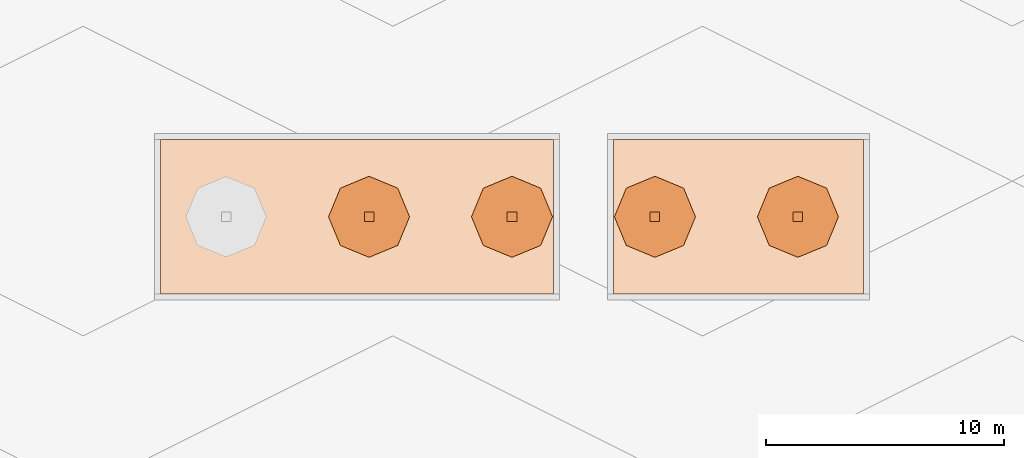
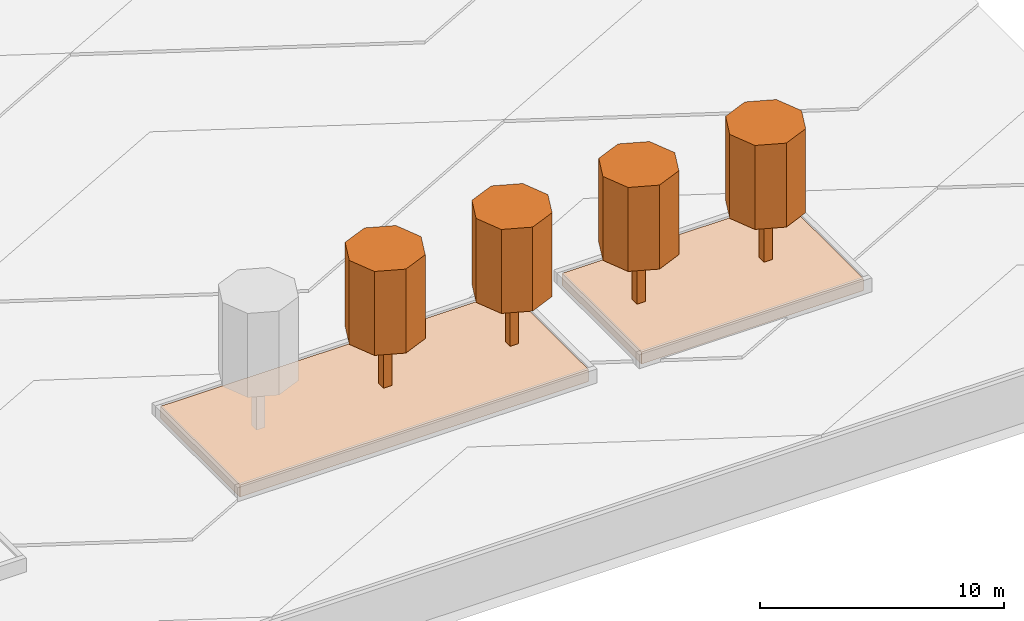
# One storey, part 34 of 34: 10 geographic elements.
"""IFC4 building model written with IfcOpenShell, lengths in metres."""

from ifc_helpers import new_model, si_unit, direction, frame, origin, origin_2d, place, context, subcontext, project, spatial, polyline, rectangle, outline, extrude, material, layer, layer_set, type_object, element, save


model = new_model("IFC4")

# Units and contexts
model_context = context("Model", 3, precision=1e-05, world=origin(), true_north=direction((0.0, 1.0)))
body_context = subcontext(model_context, "Body", "Model", "MODEL_VIEW")
ifc_project = project(units=[si_unit("LENGTHUNIT", "METRE"), si_unit("AREAUNIT", "SQUARE_METRE"), si_unit("VOLUMEUNIT", "CUBIC_METRE"), si_unit("PLANEANGLEUNIT", "RADIAN"), si_unit("MASSUNIT", "GRAM", prefix="KILO")], contexts=[model_context])

# Site, building, storey
site_placement = place(None, origin())
site = spatial("IfcSite", under=ifc_project, at=site_placement, CompositionType="ELEMENT")
building_placement = place(site_placement, origin())
building = spatial("IfcBuilding", under=site, at=building_placement, Name="Firuza Gate Tower and Library", CompositionType="ELEMENT")
storey_placement = place(building_placement, origin())
storey = spatial("IfcBuildingStorey", under=building, at=storey_placement, Name="L00", CompositionType="ELEMENT", Elevation=0.0)

# Geographic elements
ifc_material_1 = material(Name="Foliage")
geographic_element_type_1 = type_object("IfcGeographicElementType", Name="Planted tree canopy", PredefinedType="USERDEFINED", material=ifc_material_1)
placement_1 = place(storey_placement, frame((0.0, 0.0, 3.050048828125)))
element("IfcGeographicElement", 1, at=placement_1, inside=storey, type_object=geographic_element_type_1, Name="Tree canopy", ObjectType="TREE CANOPY", PredefinedType="USERDEFINED", context=body_context, shape_type="SweptSolid", body=[
    extrude(outline(polyline([(156.699951171875, 11.5), (156.2021484375, 12.7021484375), (155.0, 13.199951171875), (153.7978515625, 12.7021484375), (153.300048828125, 11.5), (153.7978515625, 10.2978515625), (155.0, 9.800048828125), (156.2021484375, 10.2978515625), (156.699951171875, 11.5)])), origin(), (0.0, 0.0, 1.0), 4.199951171875),
])
element("IfcGeographicElement", 2, at=placement_1, inside=storey, type_object=geographic_element_type_1, Name="Tree canopy", ObjectType="TREE CANOPY", PredefinedType="USERDEFINED", context=body_context, shape_type="SweptSolid", body=[
    extrude(outline(polyline([(162.699951171875, 11.5), (162.2021484375, 12.7021484375), (161.0, 13.199951171875), (159.7978515625, 12.7021484375), (159.300048828125, 11.5), (159.7978515625, 10.2978515625), (161.0, 9.800048828125), (162.2021484375, 10.2978515625), (162.699951171875, 11.5)])), origin(), (0.0, 0.0, 1.0), 4.199951171875),
])
element("IfcGeographicElement", 3, at=placement_1, inside=storey, type_object=geographic_element_type_1, Name="Tree canopy", ObjectType="TREE CANOPY", PredefinedType="USERDEFINED", context=body_context, shape_type="SweptSolid", body=[
    extrude(outline(polyline([(168.699951171875, 11.5), (168.2021484375, 12.7021484375), (167.0, 13.199951171875), (165.7978515625, 12.7021484375), (165.300048828125, 11.5), (165.7978515625, 10.2978515625), (167.0, 9.800048828125), (168.2021484375, 10.2978515625), (168.699951171875, 11.5)])), origin(), (0.0, 0.0, 1.0), 4.199951171875),
])
element("IfcGeographicElement", 4, at=placement_1, inside=storey, type_object=geographic_element_type_1, Name="Tree canopy", ObjectType="TREE CANOPY", PredefinedType="USERDEFINED", context=body_context, shape_type="SweptSolid", body=[
    extrude(outline(polyline([(174.699951171875, 11.5), (174.2021484375, 12.7021484375), (173.0, 13.199951171875), (171.7978515625, 12.7021484375), (171.300048828125, 11.5), (171.7978515625, 10.2978515625), (173.0, 9.800048828125), (174.2021484375, 10.2978515625), (174.699951171875, 11.5)])), origin(), (0.0, 0.0, 1.0), 4.199951171875),
])
ifc_material_2 = material(Name="Timber", Category="wood")
geographic_element_type_2 = type_object("IfcGeographicElementType", Name="Planted tree trunk", PredefinedType="USERDEFINED", material=ifc_material_2)
for number, where, z_axis, x_axis, name in (
    (5, (155.0, 11.5, 0.449951171875), (0.0, 0.0, 1.0), (1.0, 0.0, 0.0), "Tree trunk"),
    (6, (161.0, 11.5, 0.449951171875), (0.0, 0.0, 1.0), (1.0, 0.0, 0.0), "Tree trunk"),
    (7, (167.0, 11.5, 0.449951171875), (0.0, 0.0, 1.0), (1.0, 0.0, 0.0), "Tree trunk"),
    (8, (173.0, 11.5, 0.449951171875), (0.0, 0.0, 1.0), (1.0, 0.0, 0.0), "Tree trunk"),
):
    element("IfcGeographicElement", number, at=place(storey_placement, frame(where, z_axis=z_axis, x_axis=x_axis)), inside=storey, type_object=geographic_element_type_2, Name=name, ObjectType="TREE TRUNK", PredefinedType="USERDEFINED", context=body_context, shape_type="SweptSolid", body=[
        extrude(rectangle(XDim=0.39990234375, YDim=0.39990234375, at=origin_2d()), origin(), (0.0, 0.0, 1.0), 2.60009765625),
    ])
ifc_material_3 = material(Name="Planting soil")
ifc_layer = layer(ifc_material_3, 0.60009765625)
ifc_layer_set = layer_set([ifc_layer], Name="Planting soil mass")
geographic_element_type_3 = type_object("IfcGeographicElementType", Name="Planting soil mass", PredefinedType="USERDEFINED", material=ifc_layer_set)
placement_2 = place(storey_placement, frame((0.0, 0.0, -0.14990234375)))
element("IfcGeographicElement", 9, at=placement_2, inside=storey, type_object=geographic_element_type_3, Name="Planting soil 7", ObjectType="PLANTING SOIL", PredefinedType="USERDEFINED", context=body_context, shape_type="SweptSolid", body=[
    extrude(outline(polyline([(146.25, 8.25), (162.75, 8.25), (162.75, 14.75), (146.25, 14.75), (146.25, 8.25)])), origin(), (0.0, 0.0, 1.0), 0.599853515625),
])
element("IfcGeographicElement", 10, at=placement_2, inside=storey, type_object=geographic_element_type_3, Name="Planting soil 8", ObjectType="PLANTING SOIL", PredefinedType="USERDEFINED", context=body_context, shape_type="SweptSolid", body=[
    extrude(outline(polyline([(165.25, 8.25), (175.75, 8.25), (175.75, 14.75), (165.25, 14.75), (165.25, 8.25)])), origin(), (0.0, 0.0, 1.0), 0.599853515625),
])

save(model, "model.ifc")
